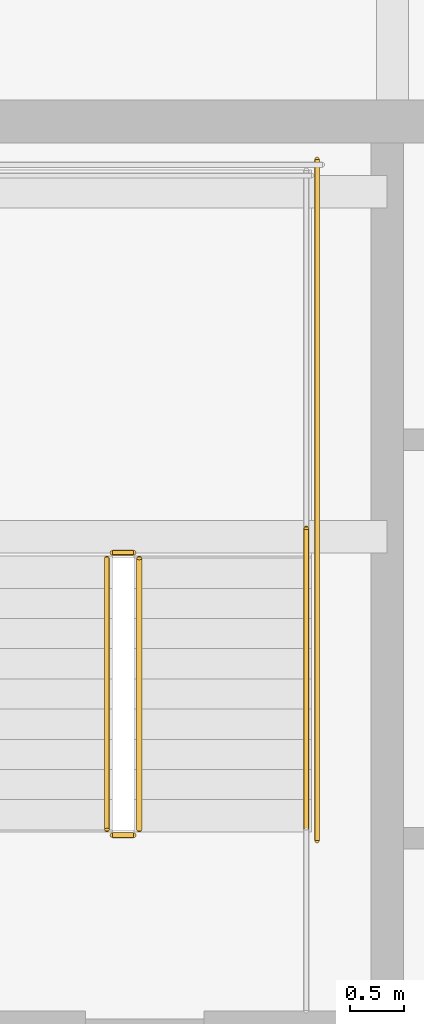
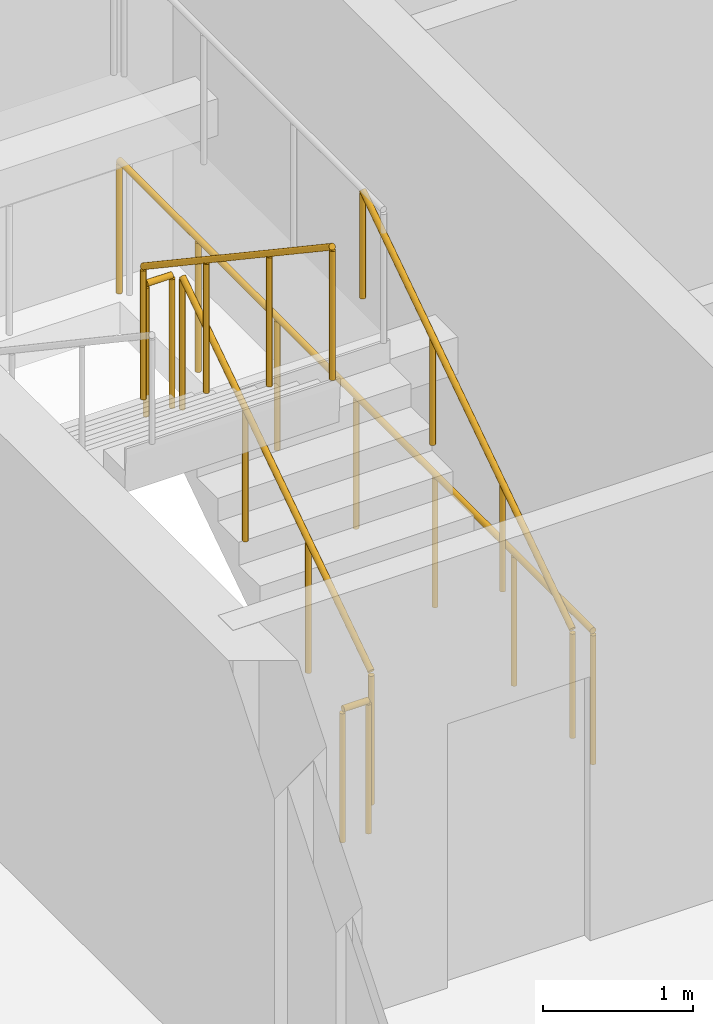
# One storey, part 31 of 34: 6 railings.
"""IFC4 building model written with IfcOpenShell, lengths in metres."""

from ifc_helpers import new_model, si_unit, direction, frame, origin, origin_2d, place, context, subcontext, project, spatial, circle, extrude, material, type_object, element, save


model = new_model("IFC4")

# Units and contexts
model_context = context("Model", 3, precision=1e-05, world=origin(), true_north=direction((0.0, 1.0)))
body_context = subcontext(model_context, "Body", "Model", "MODEL_VIEW")
ifc_project = project(units=[si_unit("LENGTHUNIT", "METRE"), si_unit("AREAUNIT", "SQUARE_METRE"), si_unit("VOLUMEUNIT", "CUBIC_METRE"), si_unit("PLANEANGLEUNIT", "RADIAN"), si_unit("MASSUNIT", "GRAM", prefix="KILO")], contexts=[model_context])

# Site, building, storey
site_placement = place(None, origin())
site = spatial("IfcSite", under=ifc_project, at=site_placement, CompositionType="ELEMENT")
building_placement = place(site_placement, origin())
building = spatial("IfcBuilding", under=site, at=building_placement, Name="Serunith Strait Residences", CompositionType="ELEMENT")
storey_placement = place(building_placement, frame((0.0, 0.0, 187.64990234375)))
storey = spatial("IfcBuildingStorey", under=building, at=storey_placement, Name="L47", CompositionType="ELEMENT", Elevation=187.64990234375)

# Railings
ifc_material = material(Name="Brushed stainless steel 316L", Category="steel")
railing_type_1 = type_object("IfcRailingType", Name="RLG-STAIR-GUARD", PredefinedType="BALUSTRADE", material=ifc_material)
railing_1_placement = place(storey_placement, frame((25.550048828125, 27.030029296875, 0.1875)))
element("IfcRailing", 1, at=railing_1_placement, inside=storey, type_object=railing_type_1, Name="L47 ST-1 stair guard 1", PredefinedType="BALUSTRADE", context=body_context, shape_type="SweptSolid", body=[
    extrude(circle(Radius=0.02392578125, at=origin_2d()), frame((0.0, 0.001708984375, 1.0771484375), z_axis=(0.0, 0.830909170722, 0.55640807867), x_axis=(-1.0, 0.0, 0.0)), (0.0, 0.0, 1.0), 3.02880859375),
    extrude(circle(Radius=0.02099609375, at=origin_2d()), origin(), (0.0, 0.0, 1.0), 1.050048828125),
    extrude(circle(Radius=0.02099609375, at=origin_2d()), frame((0.0, 0.840087890625, 0.5625)), (0.0, 0.0, 1.0), 1.050048828125),
    extrude(circle(Radius=0.02099609375, at=origin_2d()), frame((0.0, 1.679931640625, 1.125)), (0.0, 0.0, 1.0), 1.050048828125),
    extrude(circle(Radius=0.02099609375, at=origin_2d()), frame((0.0, 2.52001953125, 1.6875)), (0.0, 0.0, 1.0), 1.050048828125),
])
railing_2_placement = place(storey_placement, frame((25.5, 29.60009765625, 1.875)))
element("IfcRailing", 2, at=railing_2_placement, inside=storey, type_object=railing_type_1, Name="L47 ST-1 stair guard 2", PredefinedType="BALUSTRADE", context=body_context, shape_type="SweptSolid", body=[
    extrude(circle(Radius=0.02392578125, at=origin_2d()), frame((-0.001953125, 0.0, 1.076171875), z_axis=(-1.0, 0.0, 0.0), x_axis=(0.0, -1.0, 0.0)), (0.0, 0.0, 1.0), 0.196044921875),
    extrude(circle(Radius=0.02099609375, at=origin_2d()), origin(), (0.0, 0.0, 1.0), 1.050048828125),
    extrude(circle(Radius=0.02099609375, at=origin_2d()), frame((-0.199951171875, 0.0, 0.0)), (0.0, 0.0, 1.0), 1.050048828125),
])
railing_3_placement = place(storey_placement, frame((25.25, 29.550048828125, 2.0625)))
element("IfcRailing", 3, at=railing_3_placement, inside=storey, type_object=railing_type_1, Name="L47 ST-1 stair guard 6", PredefinedType="BALUSTRADE", context=body_context, shape_type="SweptSolid", body=[
    extrude(circle(Radius=0.02392578125, at=origin_2d()), frame((0.0, -0.001708984375, 1.0771484375), z_axis=(0.0, -0.830909170722, 0.55640807867), x_axis=(1.0, 0.0, 0.0)), (0.0, 0.0, 1.0), 3.02880859375),
    extrude(circle(Radius=0.02099609375, at=origin_2d()), origin(), (0.0, 0.0, 1.0), 1.050048828125),
    extrude(circle(Radius=0.02099609375, at=origin_2d()), frame((0.0, -0.840087890625, 0.5625)), (0.0, 0.0, 1.0), 1.050048828125),
    extrude(circle(Radius=0.02099609375, at=origin_2d()), frame((0.0, -1.679931640625, 1.125)), (0.0, 0.0, 1.0), 1.050048828125),
    extrude(circle(Radius=0.02099609375, at=origin_2d()), frame((0.0, -2.52001953125, 1.6875)), (0.0, 0.0, 1.0), 1.050048828125),
])
railing_4_placement = place(storey_placement, frame((25.5, 26.97998046875, 0.0)))
element("IfcRailing", 4, at=railing_4_placement, inside=storey, type_object=railing_type_1, Name="L47 ST-1 stair guard 7", PredefinedType="BALUSTRADE", context=body_context, shape_type="SweptSolid", body=[
    extrude(circle(Radius=0.02392578125, at=origin_2d()), frame((-0.001953125, 0.0, 1.076171875), z_axis=(-1.0, 0.0, 0.0), x_axis=(0.0, -1.0, 0.0)), (0.0, 0.0, 1.0), 0.196044921875),
    extrude(circle(Radius=0.02099609375, at=origin_2d()), origin(), (0.0, 0.0, 1.0), 1.050048828125),
    extrude(circle(Radius=0.02099609375, at=origin_2d()), frame((-0.199951171875, 0.0, 0.0)), (0.0, 0.0, 1.0), 1.050048828125),
])
railing_5_placement = place(storey_placement, frame((27.199951171875, 26.929931640625, 0.0)))
element("IfcRailing", 5, at=railing_5_placement, inside=storey, type_object=railing_type_1, Name="L47 ST-1 stair guard 10", PredefinedType="BALUSTRADE", context=body_context, shape_type="SweptSolid", body=[
    extrude(circle(Radius=0.02392578125, at=origin_2d()), frame((0.0, 0.001953125, 1.076171875), z_axis=(0.0, 1.0, 0.0), x_axis=(-1.0, 0.0, 0.0)), (0.0, 0.0, 1.0), 6.316162109375),
    extrude(circle(Radius=0.02099609375, at=origin_2d()), origin(), (0.0, 0.0, 1.0), 1.050048828125),
    extrude(circle(Radius=0.02099609375, at=origin_2d()), frame((0.0, 1.05322265625, 0.0)), (0.0, 0.0, 1.0), 1.050048828125),
    extrude(circle(Radius=0.02099609375, at=origin_2d()), frame((0.0, 2.106689453125, 0.0)), (0.0, 0.0, 1.0), 1.050048828125),
    extrude(circle(Radius=0.02099609375, at=origin_2d()), frame((0.0, 3.16015625, 0.0)), (0.0, 0.0, 1.0), 1.050048828125),
    extrude(circle(Radius=0.02099609375, at=origin_2d()), frame((0.0, 4.21337890625, 0.0)), (0.0, 0.0, 1.0), 1.050048828125),
    extrude(circle(Radius=0.02099609375, at=origin_2d()), frame((0.0, 5.2666015625, 0.0)), (0.0, 0.0, 1.0), 1.050048828125),
    extrude(circle(Radius=0.02099609375, at=origin_2d()), frame((0.0, 6.320068359375, 0.0)), (0.0, 0.0, 1.0), 1.050048828125),
])
railing_type_2 = type_object("IfcRailingType", Name="RLG-STAIR-HR", PredefinedType="HANDRAIL", material=ifc_material)
railing_6_placement = place(storey_placement, frame((27.10009765625, 27.030029296875, 0.1875)))
element("IfcRailing", 6, at=railing_6_placement, inside=storey, type_object=railing_type_2, Name="L47 ST-1 stair handrail 1", PredefinedType="HANDRAIL", context=body_context, shape_type="SweptSolid", body=[
    extrude(circle(Radius=0.02392578125, at=origin_2d()), frame((0.0, 0.001708984375, 0.876953125), z_axis=(0.0, 0.830208209119, 0.557453432594), x_axis=(-1.0, 0.0, 0.0)), (0.0, 0.0, 1.0), 3.36865234375),
    extrude(circle(Radius=0.02099609375, at=origin_2d()), origin(), (0.0, 0.0, 1.0), 0.849853515625),
    extrude(circle(Radius=0.02099609375, at=origin_2d()), frame((0.0, 0.933349609375, 0.626708984375)), (0.0, 0.0, 1.0), 0.849853515625),
    extrude(circle(Radius=0.02099609375, at=origin_2d()), frame((0.0, 1.86669921875, 1.25341796875)), (0.0, 0.0, 1.0), 0.849853515625),
    extrude(circle(Radius=0.02099609375, at=origin_2d()), frame((0.0, 2.800048828125, 1.880126953125)), (0.0, 0.0, 1.0), 0.849853515625),
])

save(model, "model.ifc")
